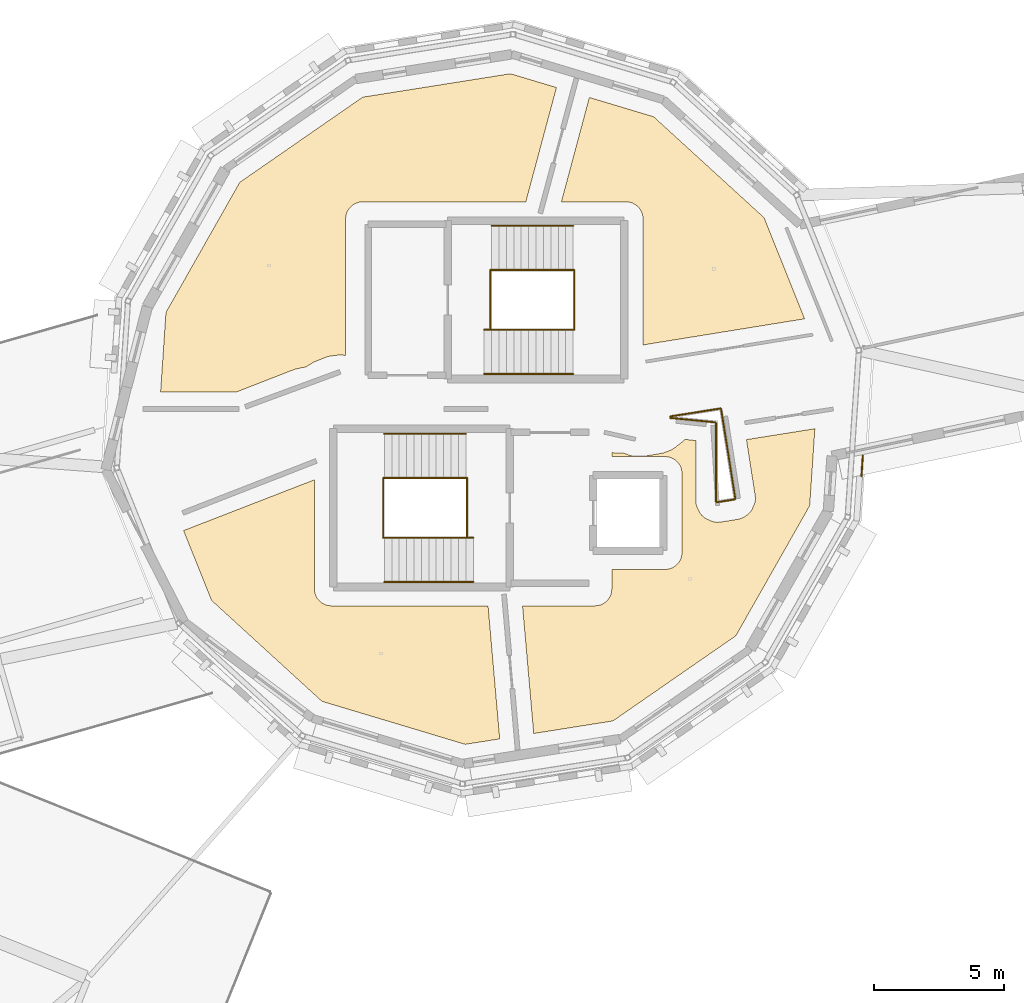
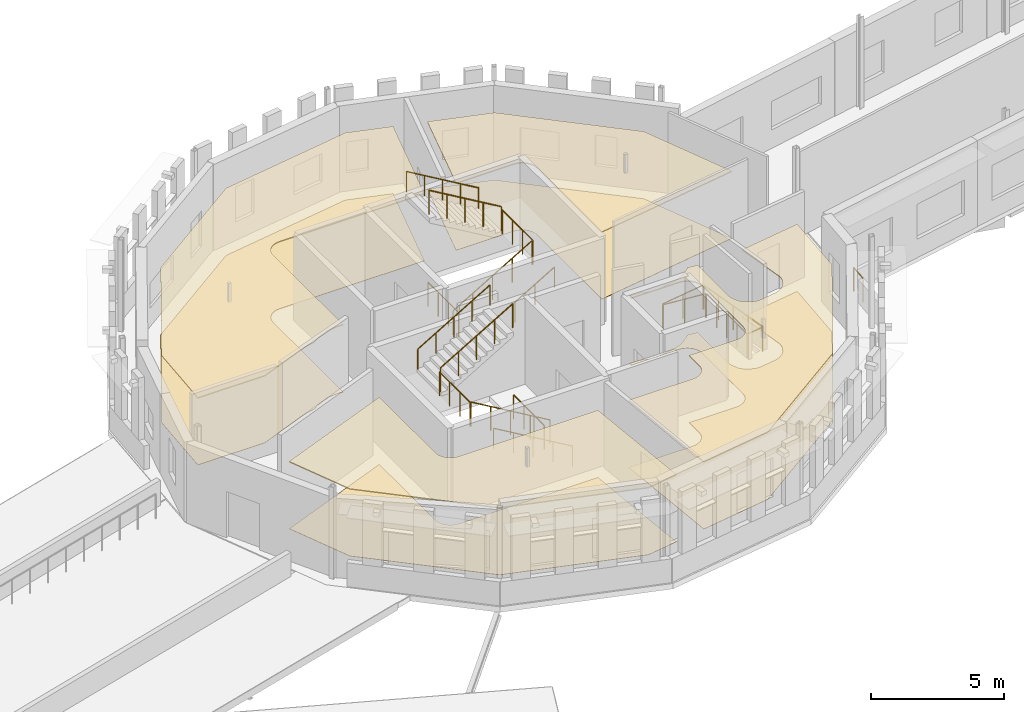
# One storey, part 87 of 90: 18 railings, 8 coverings.
"""IFC4 building model written with IfcOpenShell, lengths in metres."""

from ifc_helpers import new_model, si_unit, direction, frame, origin, origin_2d, place, context, subcontext, project, spatial, polyline, circle, outline, extrude, material, layer, layer_set, type_object, element, save


model = new_model("IFC4")

# Units and contexts
model_context = context("Model", 3, precision=1e-05, world=origin(), true_north=direction((0.0, 1.0)))
body_context = subcontext(model_context, "Body", "Model", "MODEL_VIEW")
ifc_project = project(units=[si_unit("LENGTHUNIT", "METRE"), si_unit("AREAUNIT", "SQUARE_METRE"), si_unit("VOLUMEUNIT", "CUBIC_METRE"), si_unit("PLANEANGLEUNIT", "RADIAN"), si_unit("MASSUNIT", "GRAM", prefix="KILO")], contexts=[model_context])

# Site, building, storey
site_placement = place(None, origin())
site = spatial("IfcSite", under=ifc_project, at=site_placement, CompositionType="ELEMENT")
building_placement = place(site_placement, origin())
building = spatial("IfcBuilding", under=site, at=building_placement, Name="Wrenclough Park School", CompositionType="ELEMENT")
storey_placement = place(building_placement, frame((0.0, 0.0, 8.39990234375)))
storey = spatial("IfcBuildingStorey", under=building, at=storey_placement, Name="L02", CompositionType="ELEMENT", Elevation=8.39990234375)

# Coverings
ifc_material_1 = material(Name="Class A mineral-fibre acoustic ceiling raft", Category="gypsum")
ifc_layer_1 = layer(ifc_material_1, 0.044921875)
ifc_layer_set_1 = layer_set([ifc_layer_1], Name="Class A mineral-fibre acoustic ceiling raft")
covering_type_1 = type_object("IfcCoveringType", Name="INT-COV-CEIL", PredefinedType="CEILING", material=ifc_layer_set_1)
covering_1_placement = place(storey_placement, frame((0.0, 0.0, 3.05517578125)))
element("IfcCovering", 1, at=covering_1_placement, inside=storey, type_object=covering_type_1, Name="Middle Chemistry Science Laboratory acoustic ceiling raft", PredefinedType="CEILING", context=body_context, shape_type="SweptSolid", body=[
    extrude(outline(polyline([(75.999755859375, 110.115234375), (76.30029296875, 110.30517578125), (76.78857421875, 110.49853515625), (76.863525390625, 110.522705078125), (76.94091796875, 110.53759765625), (77.29052734375, 110.580322265625), (77.402099609375, 110.575439453125), (77.530029296875, 110.558837890625), (77.530029296875, 115.820068359375), (77.54248046875, 115.94677734375), (77.55810546875, 116.0087890625), (77.606689453125, 116.12646484375), (77.677490234375, 116.232421875), (77.767578125, 116.322509765625), (77.81884765625, 116.360595703125), (77.931396484375, 116.42041015625), (78.05322265625, 116.45751953125), (78.179931640625, 116.469970703125), (84.462646484375, 116.469970703125), (85.640869140625, 120.866943359375), (83.86962890625, 121.398681640625), (78.18701171875, 120.498779296875), (73.45751953125, 117.222412109375), (70.617919921875, 112.21826171875), (70.4111328125, 109.14990234375), (73.31396484375, 109.14990234375), (75.52294921875, 110.010009765625), (75.614990234375, 110.038330078125), (75.88720703125, 110.099853515625), (75.999755859375, 110.115234375)])), origin(), (0.0, 0.0, 1.0), 0.044921875),
])
covering_2_placement = place(storey_placement, frame((0.0, 0.0, 3.05517578125)))
element("IfcCovering", 2, at=covering_2_placement, inside=storey, type_object=covering_type_1, Name="Biology Science Laboratory acoustic ceiling raft", PredefinedType="CEILING", context=body_context, shape_type="SweptSolid", body=[
    extrude(outline(polyline([(71.295166015625, 103.82470703125), (72.373046875, 101.1376953125), (76.619873046875, 97.255859375), (82.13037109375, 95.601318359375), (83.45751953125, 95.811279296875), (83.009765625, 100.929931640625), (76.97998046875, 100.929931640625), (76.853271484375, 100.9423828125), (76.791259765625, 100.9580078125), (76.731201171875, 100.9794921875), (76.618896484375, 101.03955078125), (76.5205078125, 101.120361328125), (76.439453125, 101.218994140625), (76.37939453125, 101.331298828125), (76.35791015625, 101.391357421875), (76.3330078125, 101.516357421875), (76.330078125, 105.779296875), (71.295166015625, 103.82470703125)])), origin(), (0.0, 0.0, 1.0), 0.044921875),
])
covering_3_placement = place(storey_placement, frame((0.0, 0.0, 3.05517578125)))
element("IfcCovering", 3, at=covering_3_placement, inside=storey, type_object=covering_type_1, Name="History Classroom 1 acoustic ceiling raft", PredefinedType="CEILING", context=body_context, shape_type="SweptSolid", body=[
    extrude(outline(polyline([(87.77001953125, 106.821533203125), (87.77001953125, 106.669921875), (89.820068359375, 106.669921875), (89.94677734375, 106.657470703125), (90.068603515625, 106.62060546875), (90.18115234375, 106.560546875), (90.279541015625, 106.4794921875), (90.360595703125, 106.381103515625), (90.42041015625, 106.268798828125), (90.44189453125, 106.208740234375), (90.45751953125, 106.146728515625), (90.469970703125, 106.02001953125), (90.469970703125, 102.97998046875), (90.45751953125, 102.853271484375), (90.44189453125, 102.791259765625), (90.42041015625, 102.731201171875), (90.360595703125, 102.618896484375), (90.322509765625, 102.567626953125), (90.232421875, 102.4775390625), (90.18115234375, 102.439453125), (90.068603515625, 102.37939453125), (89.94677734375, 102.342529296875), (89.820068359375, 102.330078125), (87.77001953125, 102.330078125), (87.77001953125, 101.580078125), (87.757568359375, 101.453125), (87.741943359375, 101.391357421875), (87.720458984375, 101.331298828125), (87.660400390625, 101.218994140625), (87.57958984375, 101.120361328125), (87.481201171875, 101.03955078125), (87.36865234375, 100.9794921875), (87.30859375, 100.9580078125), (87.246826171875, 100.9423828125), (87.1201171875, 100.929931640625), (84.3349609375, 100.929931640625), (84.7646484375, 96.018310546875), (87.81298828125, 96.501220703125), (92.54248046875, 99.777587890625), (95.382080078125, 104.78173828125), (95.58154296875, 107.743408203125), (92.948486328125, 107.32470703125), (93.285400390625, 105.159423828125), (93.2919921875, 105.09619140625), (93.286865234375, 104.9697265625), (93.257080078125, 104.846435546875), (93.157958984375, 104.6298828125), (93.0908203125, 104.5341796875), (93.00732421875, 104.451904296875), (92.81884765625, 104.3251953125), (92.68603515625, 104.2724609375), (92.6162109375, 104.25732421875), (91.94482421875, 104.15087890625), (91.8203125, 104.143310546875), (91.75830078125, 104.1484375), (91.63671875, 104.176513671875), (91.44140625, 104.260009765625), (91.325927734375, 104.32666015625), (91.226318359375, 104.415283203125), (91.14697265625, 104.5224609375), (91.03466796875, 104.7666015625), (91.01611328125, 104.833984375), (91.0009765625, 104.973388671875), (91.000244140625, 107.28759765625), (90.57861328125, 107.3349609375), (90.5107421875, 107.26171875), (90.464599609375, 107.222900390625), (90.1533203125, 106.987060546875), (90.04345703125, 106.919677734375), (89.742919921875, 106.80908203125), (89.084228515625, 106.6953125), (88.98291015625, 106.686279296875), (88.615966796875, 106.6865234375), (88.5439453125, 106.697998046875), (88.4736328125, 106.717529296875), (88.21826171875, 106.803955078125), (87.77001953125, 106.821533203125)])), origin(), (0.0, 0.0, 1.0), 0.044921875),
])
covering_4_placement = place(storey_placement, frame((0.0, 0.0, 3.05517578125)))
element("IfcCovering", 4, at=covering_4_placement, inside=storey, type_object=covering_type_1, Name="History Classroom 2 acoustic ceiling raft", PredefinedType="CEILING", context=body_context, shape_type="SweptSolid", body=[
    extrude(outline(polyline([(88.969970703125, 115.820068359375), (88.969970703125, 110.965576171875), (95.188232421875, 111.97021484375), (93.626953125, 115.8623046875), (89.380126953125, 119.744140625), (86.905517578125, 120.4873046875), (85.8291015625, 116.469970703125), (88.320068359375, 116.469970703125), (88.44677734375, 116.45751953125), (88.568603515625, 116.42041015625), (88.68115234375, 116.360595703125), (88.732421875, 116.322509765625), (88.822509765625, 116.232421875), (88.893310546875, 116.12646484375), (88.94189453125, 116.0087890625), (88.95751953125, 115.94677734375), (88.969970703125, 115.820068359375)])), origin(), (0.0, 0.0, 1.0), 0.044921875),
])
ifc_material_2 = material(Name="Acoustic natural linoleum school flooring", Category="wood")
ifc_layer_2 = layer(ifc_material_2, 0.014892578125)
ifc_layer_set_2 = layer_set([ifc_layer_2], Name="Acoustic natural linoleum school flooring")
covering_type_2 = type_object("IfcCoveringType", Name="INT-COV-FLOOR1", PredefinedType="FLOORING", material=ifc_layer_set_2)
covering_5_placement = place(storey_placement, origin())
element("IfcCovering", 5, at=covering_5_placement, inside=storey, type_object=covering_type_2, Name="Middle Chemistry Science Laboratory floor finish", PredefinedType="FLOORING", context=body_context, shape_type="SweptSolid", body=[
    extrude(outline(polyline([(75.999755859375, 110.115234375), (76.30029296875, 110.30517578125), (76.78857421875, 110.49853515625), (76.863525390625, 110.522705078125), (76.94091796875, 110.53759765625), (77.29052734375, 110.580322265625), (77.402099609375, 110.575439453125), (77.530029296875, 110.558837890625), (77.530029296875, 115.820068359375), (77.54248046875, 115.94677734375), (77.55810546875, 116.0087890625), (77.606689453125, 116.12646484375), (77.677490234375, 116.232421875), (77.767578125, 116.322509765625), (77.81884765625, 116.360595703125), (77.931396484375, 116.42041015625), (78.05322265625, 116.45751953125), (78.179931640625, 116.469970703125), (84.462646484375, 116.469970703125), (85.640869140625, 120.866943359375), (83.86962890625, 121.398681640625), (78.18701171875, 120.498779296875), (73.45751953125, 117.222412109375), (70.617919921875, 112.21826171875), (70.4111328125, 109.14990234375), (73.31396484375, 109.14990234375), (75.52294921875, 110.010009765625), (75.614990234375, 110.038330078125), (75.88720703125, 110.099853515625), (75.999755859375, 110.115234375)])), origin(), (0.0, 0.0, 1.0), 0.01513671875),
])
covering_6_placement = place(storey_placement, origin())
element("IfcCovering", 6, at=covering_6_placement, inside=storey, type_object=covering_type_2, Name="Biology Science Laboratory floor finish", PredefinedType="FLOORING", context=body_context, shape_type="SweptSolid", body=[
    extrude(outline(polyline([(71.295166015625, 103.82470703125), (72.373046875, 101.1376953125), (76.619873046875, 97.255859375), (82.13037109375, 95.601318359375), (83.45751953125, 95.811279296875), (83.009765625, 100.929931640625), (76.97998046875, 100.929931640625), (76.853271484375, 100.9423828125), (76.791259765625, 100.9580078125), (76.731201171875, 100.9794921875), (76.618896484375, 101.03955078125), (76.5205078125, 101.120361328125), (76.439453125, 101.218994140625), (76.37939453125, 101.331298828125), (76.35791015625, 101.391357421875), (76.3330078125, 101.516357421875), (76.330078125, 105.779296875), (71.295166015625, 103.82470703125)])), origin(), (0.0, 0.0, 1.0), 0.01513671875),
])
covering_7_placement = place(storey_placement, origin())
element("IfcCovering", 7, at=covering_7_placement, inside=storey, type_object=covering_type_2, Name="History Classroom 1 floor finish", PredefinedType="FLOORING", context=body_context, shape_type="SweptSolid", body=[
    extrude(outline(polyline([(87.77001953125, 106.821533203125), (87.77001953125, 106.669921875), (89.820068359375, 106.669921875), (89.94677734375, 106.657470703125), (90.068603515625, 106.62060546875), (90.18115234375, 106.560546875), (90.279541015625, 106.4794921875), (90.360595703125, 106.381103515625), (90.42041015625, 106.268798828125), (90.44189453125, 106.208740234375), (90.45751953125, 106.146728515625), (90.469970703125, 106.02001953125), (90.469970703125, 102.97998046875), (90.45751953125, 102.853271484375), (90.44189453125, 102.791259765625), (90.42041015625, 102.731201171875), (90.360595703125, 102.618896484375), (90.322509765625, 102.567626953125), (90.232421875, 102.4775390625), (90.18115234375, 102.439453125), (90.068603515625, 102.37939453125), (89.94677734375, 102.342529296875), (89.820068359375, 102.330078125), (87.77001953125, 102.330078125), (87.77001953125, 101.580078125), (87.757568359375, 101.453125), (87.741943359375, 101.391357421875), (87.720458984375, 101.331298828125), (87.660400390625, 101.218994140625), (87.57958984375, 101.120361328125), (87.481201171875, 101.03955078125), (87.36865234375, 100.9794921875), (87.30859375, 100.9580078125), (87.246826171875, 100.9423828125), (87.1201171875, 100.929931640625), (84.3349609375, 100.929931640625), (84.7646484375, 96.018310546875), (87.81298828125, 96.501220703125), (92.54248046875, 99.777587890625), (95.382080078125, 104.78173828125), (95.58154296875, 107.743408203125), (92.948486328125, 107.32470703125), (93.285400390625, 105.159423828125), (93.2919921875, 105.09619140625), (93.286865234375, 104.9697265625), (93.257080078125, 104.846435546875), (93.157958984375, 104.6298828125), (93.0908203125, 104.5341796875), (93.00732421875, 104.451904296875), (92.81884765625, 104.3251953125), (92.68603515625, 104.2724609375), (92.6162109375, 104.25732421875), (91.94482421875, 104.15087890625), (91.8203125, 104.143310546875), (91.75830078125, 104.1484375), (91.63671875, 104.176513671875), (91.44140625, 104.260009765625), (91.325927734375, 104.32666015625), (91.226318359375, 104.415283203125), (91.14697265625, 104.5224609375), (91.03466796875, 104.7666015625), (91.01611328125, 104.833984375), (91.0009765625, 104.973388671875), (91.000244140625, 107.28759765625), (90.57861328125, 107.3349609375), (90.5107421875, 107.26171875), (90.464599609375, 107.222900390625), (90.1533203125, 106.987060546875), (90.04345703125, 106.919677734375), (89.742919921875, 106.80908203125), (89.084228515625, 106.6953125), (88.98291015625, 106.686279296875), (88.615966796875, 106.6865234375), (88.5439453125, 106.697998046875), (88.4736328125, 106.717529296875), (88.21826171875, 106.803955078125), (87.77001953125, 106.821533203125)])), origin(), (0.0, 0.0, 1.0), 0.01513671875),
])
covering_8_placement = place(storey_placement, origin())
element("IfcCovering", 8, at=covering_8_placement, inside=storey, type_object=covering_type_2, Name="History Classroom 2 floor finish", PredefinedType="FLOORING", context=body_context, shape_type="SweptSolid", body=[
    extrude(outline(polyline([(88.969970703125, 115.820068359375), (88.969970703125, 110.965576171875), (95.188232421875, 111.97021484375), (93.626953125, 115.8623046875), (89.380126953125, 119.744140625), (86.905517578125, 120.4873046875), (85.8291015625, 116.469970703125), (88.320068359375, 116.469970703125), (88.44677734375, 116.45751953125), (88.568603515625, 116.42041015625), (88.68115234375, 116.360595703125), (88.732421875, 116.322509765625), (88.822509765625, 116.232421875), (88.893310546875, 116.12646484375), (88.94189453125, 116.0087890625), (88.95751953125, 115.94677734375), (88.969970703125, 115.820068359375)])), origin(), (0.0, 0.0, 1.0), 0.01513671875),
])

# Railings
ifc_material_3 = material(Name="Powder-coated steel vertical-baluster stair and atrium guard", Category="steel")
railing_type_1 = type_object("IfcRailingType", Name="INT-RL-GD1120", PredefinedType="GUARDRAIL", material=ifc_material_3)
railing_1_placement = place(storey_placement, frame((82.195068359375, 103.550048828125, 0.0)))
element("IfcRailing", 9, at=railing_1_placement, inside=storey, type_object=railing_type_1, Name="ST-04 L02 well guard 1", PredefinedType="GUARDRAIL", context=body_context, shape_type="SweptSolid", body=[
    extrude(circle(Radius=0.02392578125, at=origin_2d()), frame((0.0, 0.0, 1.09619140625), z_axis=(0.0, 1.0, 0.0), x_axis=(-1.0, 0.0, 0.0)), (0.0, 0.0, 1.0), 2.300048828125),
    extrude(circle(Radius=0.02099609375, at=origin_2d()), origin(), (0.0, 0.0, 1.0), 1.072021484375),
    extrude(circle(Radius=0.02099609375, at=origin_2d()), frame((0.0, 0.7666015625, 0.0)), (0.0, 0.0, 1.0), 1.072021484375),
    extrude(circle(Radius=0.02099609375, at=origin_2d()), frame((0.0, 1.533447265625, 0.0)), (0.0, 0.0, 1.0), 1.072021484375),
    extrude(circle(Radius=0.02099609375, at=origin_2d()), frame((0.0, 2.300048828125, 0.0)), (0.0, 0.0, 1.0), 1.072021484375),
])
railing_2_placement = place(storey_placement, frame((82.43994140625, 103.550048828125, 0.168212890625)))
element("IfcRailing", 10, at=railing_2_placement, inside=storey, type_object=railing_type_1, Name="ST-04 L02 well guard 2", PredefinedType="GUARDRAIL", context=body_context, shape_type="SweptSolid", body=[
    extrude(circle(Radius=0.02392578125, at=origin_2d()), frame((0.0, 0.0, 1.09619140625), z_axis=(-0.861476970849, 0.0, 0.507796641084), x_axis=(0.0, -1.0, 0.0)), (0.0, 0.0, 1.0), 3.9697265625),
    extrude(circle(Radius=0.02099609375, at=origin_2d()), origin(), (0.0, 0.0, 1.0), 1.072021484375),
    extrude(circle(Radius=0.02099609375, at=origin_2d()), frame((-0.85498046875, 0.0, 0.50390625)), (0.0, 0.0, 1.0), 1.072021484375),
    extrude(circle(Radius=0.02099609375, at=origin_2d()), frame((-1.7099609375, 0.0, 1.0078125)), (0.0, 0.0, 1.0), 1.072021484375),
    extrude(circle(Radius=0.02099609375, at=origin_2d()), frame((-2.56494140625, 0.0, 1.511962890625)), (0.0, 0.0, 1.0), 1.072021484375),
    extrude(circle(Radius=0.02099609375, at=origin_2d()), frame((-3.419921875, 0.0, 2.015869140625)), (0.0, 0.0, 1.0), 1.072021484375),
])
railing_3_placement = place(storey_placement, frame((78.97998046875, 103.550048828125, 2.18408203125)))
element("IfcRailing", 11, at=railing_3_placement, inside=storey, type_object=railing_type_1, Name="ST-04 L02 well guard 3", PredefinedType="GUARDRAIL", context=body_context, shape_type="SweptSolid", body=[
    extrude(circle(Radius=0.02392578125, at=origin_2d()), frame((0.0, 0.0, 1.09619140625), z_axis=(0.0, 1.0, 0.0), x_axis=(-1.0, 0.0, 0.0)), (0.0, 0.0, 1.0), 2.300048828125),
    extrude(circle(Radius=0.02099609375, at=origin_2d()), origin(), (0.0, 0.0, 1.0), 1.072021484375),
    extrude(circle(Radius=0.02099609375, at=origin_2d()), frame((0.0, 0.7666015625, 0.0)), (0.0, 0.0, 1.0), 1.072021484375),
    extrude(circle(Radius=0.02099609375, at=origin_2d()), frame((0.0, 1.533447265625, 0.0)), (0.0, 0.0, 1.0), 1.072021484375),
    extrude(circle(Radius=0.02099609375, at=origin_2d()), frame((0.0, 2.300048828125, 0.0)), (0.0, 0.0, 1.0), 1.072021484375),
])
railing_4_placement = place(storey_placement, frame((79.02001953125, 105.85009765625, 2.35205078125)))
element("IfcRailing", 12, at=railing_4_placement, inside=storey, type_object=railing_type_1, Name="ST-04 L02 well guard 4", PredefinedType="GUARDRAIL", context=body_context, shape_type="SweptSolid", body=[
    extrude(circle(Radius=0.02392578125, at=origin_2d()), frame((0.0, 0.0, 1.09619140625), z_axis=(0.861450943231, 0.0, 0.507840794351), x_axis=(0.0, 1.0, 0.0)), (0.0, 0.0, 1.0), 3.63916015625),
    extrude(circle(Radius=0.02099609375, at=origin_2d()), origin(), (0.0, 0.0, 1.0), 1.072021484375),
    extrude(circle(Radius=0.02099609375, at=origin_2d()), frame((0.78369140625, 0.0, 0.4619140625)), (0.0, 0.0, 1.0), 1.072021484375),
    extrude(circle(Radius=0.02099609375, at=origin_2d()), frame((1.5673828125, 0.0, 0.924072265625)), (0.0, 0.0, 1.0), 1.072021484375),
    extrude(circle(Radius=0.02099609375, at=origin_2d()), frame((2.351318359375, 0.0, 1.38623046875)), (0.0, 0.0, 1.0), 1.072021484375),
    extrude(circle(Radius=0.02099609375, at=origin_2d()), frame((3.135009765625, 0.0, 1.84814453125)), (0.0, 0.0, 1.0), 1.072021484375),
])
railing_5_placement = place(storey_placement, frame((83.10498046875, 111.550048828125, 0.0)))
element("IfcRailing", 13, at=railing_5_placement, inside=storey, type_object=railing_type_1, Name="ST-08 L02 well guard 1", PredefinedType="GUARDRAIL", context=body_context, shape_type="SweptSolid", body=[
    extrude(circle(Radius=0.02392578125, at=origin_2d()), frame((0.0, 0.0, 1.09619140625), z_axis=(0.0, 1.0, 0.0), x_axis=(-1.0, 0.0, 0.0)), (0.0, 0.0, 1.0), 2.300048828125),
    extrude(circle(Radius=0.02099609375, at=origin_2d()), origin(), (0.0, 0.0, 1.0), 1.072021484375),
    extrude(circle(Radius=0.02099609375, at=origin_2d()), frame((0.0, 0.7666015625, 0.0)), (0.0, 0.0, 1.0), 1.072021484375),
    extrude(circle(Radius=0.02099609375, at=origin_2d()), frame((0.0, 1.533447265625, 0.0)), (0.0, 0.0, 1.0), 1.072021484375),
    extrude(circle(Radius=0.02099609375, at=origin_2d()), frame((0.0, 2.300048828125, 0.0)), (0.0, 0.0, 1.0), 1.072021484375),
])
railing_6_placement = place(storey_placement, frame((82.860107421875, 111.550048828125, 0.168212890625)))
element("IfcRailing", 14, at=railing_6_placement, inside=storey, type_object=railing_type_1, Name="ST-08 L02 well guard 2", PredefinedType="GUARDRAIL", context=body_context, shape_type="SweptSolid", body=[
    extrude(circle(Radius=0.02392578125, at=origin_2d()), frame((0.0, 0.0, 1.09619140625), z_axis=(0.861476970849, 0.0, 0.507796641084), x_axis=(0.0, 1.0, 0.0)), (0.0, 0.0, 1.0), 3.9697265625),
    extrude(circle(Radius=0.02099609375, at=origin_2d()), origin(), (0.0, 0.0, 1.0), 1.072021484375),
    extrude(circle(Radius=0.02099609375, at=origin_2d()), frame((0.85498046875, 0.0, 0.50390625)), (0.0, 0.0, 1.0), 1.072021484375),
    extrude(circle(Radius=0.02099609375, at=origin_2d()), frame((1.7099609375, 0.0, 1.0078125)), (0.0, 0.0, 1.0), 1.072021484375),
    extrude(circle(Radius=0.02099609375, at=origin_2d()), frame((2.56494140625, 0.0, 1.511962890625)), (0.0, 0.0, 1.0), 1.072021484375),
    extrude(circle(Radius=0.02099609375, at=origin_2d()), frame((3.419921875, 0.0, 2.015869140625)), (0.0, 0.0, 1.0), 1.072021484375),
])
railing_7_placement = place(storey_placement, frame((86.320068359375, 111.550048828125, 2.18408203125)))
element("IfcRailing", 15, at=railing_7_placement, inside=storey, type_object=railing_type_1, Name="ST-08 L02 well guard 3", PredefinedType="GUARDRAIL", context=body_context, shape_type="SweptSolid", body=[
    extrude(circle(Radius=0.02392578125, at=origin_2d()), frame((0.0, 0.0, 1.09619140625), z_axis=(0.0, 1.0, 0.0), x_axis=(-1.0, 0.0, 0.0)), (0.0, 0.0, 1.0), 2.300048828125),
    extrude(circle(Radius=0.02099609375, at=origin_2d()), origin(), (0.0, 0.0, 1.0), 1.072021484375),
    extrude(circle(Radius=0.02099609375, at=origin_2d()), frame((0.0, 0.7666015625, 0.0)), (0.0, 0.0, 1.0), 1.072021484375),
    extrude(circle(Radius=0.02099609375, at=origin_2d()), frame((0.0, 1.533447265625, 0.0)), (0.0, 0.0, 1.0), 1.072021484375),
    extrude(circle(Radius=0.02099609375, at=origin_2d()), frame((0.0, 2.300048828125, 0.0)), (0.0, 0.0, 1.0), 1.072021484375),
])
railing_8_placement = place(storey_placement, frame((86.280029296875, 113.85009765625, 2.35205078125)))
element("IfcRailing", 16, at=railing_8_placement, inside=storey, type_object=railing_type_1, Name="ST-08 L02 well guard 4", PredefinedType="GUARDRAIL", context=body_context, shape_type="SweptSolid", body=[
    extrude(circle(Radius=0.02392578125, at=origin_2d()), frame((0.0, 0.0, 1.09619140625), z_axis=(-0.861450943231, 0.0, 0.507840794351), x_axis=(0.0, -1.0, 0.0)), (0.0, 0.0, 1.0), 3.63916015625),
    extrude(circle(Radius=0.02099609375, at=origin_2d()), origin(), (0.0, 0.0, 1.0), 1.072021484375),
    extrude(circle(Radius=0.02099609375, at=origin_2d()), frame((-0.78369140625, 0.0, 0.4619140625)), (0.0, 0.0, 1.0), 1.072021484375),
    extrude(circle(Radius=0.02099609375, at=origin_2d()), frame((-1.5673828125, 0.0, 0.924072265625)), (0.0, 0.0, 1.0), 1.072021484375),
    extrude(circle(Radius=0.02099609375, at=origin_2d()), frame((-2.351318359375, 0.0, 1.38623046875)), (0.0, 0.0, 1.0), 1.072021484375),
    extrude(circle(Radius=0.02099609375, at=origin_2d()), frame((-3.135009765625, 0.0, 1.84814453125)), (0.0, 0.0, 1.0), 1.072021484375),
])
railing_9_placement = place(storey_placement, frame((91.946533203125, 108.521240234375, 0.0)))
element("IfcRailing", 17, at=railing_9_placement, inside=storey, type_object=railing_type_1, Name="D4 L02 void perimeter guard 1.1", PredefinedType="GUARDRAIL", context=body_context, shape_type="SweptSolid", body=[
    extrude(circle(Radius=0.02392578125, at=origin_2d()), frame((0.0, 0.0, 1.09619140625), z_axis=(-0.98767126193, -0.156542257415, 0.0), x_axis=(0.156542257415, -0.98767126193, 0.0)), (0.0, 0.0, 1.0), 1.9462890625),
    extrude(circle(Radius=0.02099609375, at=origin_2d()), origin(), (0.0, 0.0, 1.0), 1.072021484375),
    extrude(circle(Radius=0.02099609375, at=origin_2d()), frame((-0.961181640625, -0.15234375, 0.0)), (0.0, 0.0, 1.0), 1.072021484375),
    extrude(circle(Radius=0.02099609375, at=origin_2d()), frame((-1.92236328125, -0.3046875, 0.0)), (0.0, 0.0, 1.0), 1.072021484375),
])
railing_10_placement = place(storey_placement, frame((90.02587890625, 108.158935546875, 0.0)))
element("IfcRailing", 18, at=railing_10_placement, inside=storey, type_object=railing_type_1, Name="D4 L02 void perimeter guard 1.3", PredefinedType="GUARDRAIL", context=body_context, shape_type="SweptSolid", body=[
    extrude(circle(Radius=0.02392578125, at=origin_2d()), frame((0.0, 0.0, 1.09619140625), z_axis=(0.9952068307, -0.097792454351, 0.0), x_axis=(0.097792454351, 0.9952068307, 0.0)), (0.0, 0.0, 1.0), 1.737548828125),
    extrude(circle(Radius=0.02099609375, at=origin_2d()), origin(), (0.0, 0.0, 1.0), 1.072021484375),
    extrude(circle(Radius=0.02099609375, at=origin_2d()), frame((0.86474609375, -0.0849609375, 0.0)), (0.0, 0.0, 1.0), 1.072021484375),
    extrude(circle(Radius=0.02099609375, at=origin_2d()), frame((1.729248046875, -0.169921875, 0.0)), (0.0, 0.0, 1.0), 1.072021484375),
])
railing_11_placement = place(storey_placement, frame((91.780029296875, 107.96142578125, 0.0)))
element("IfcRailing", 19, at=railing_11_placement, inside=storey, type_object=railing_type_1, Name="D4 L02 void perimeter guard 1.4", PredefinedType="GUARDRAIL", context=body_context, shape_type="SweptSolid", body=[
    extrude(circle(Radius=0.02392578125, at=origin_2d()), frame((0.0, 0.0, 1.09619140625), z_axis=(0.0, -1.0, 0.0), x_axis=(1.0, 0.0, 0.0)), (0.0, 0.0, 1.0), 3.025634765625),
    extrude(circle(Radius=0.02099609375, at=origin_2d()), origin(), (0.0, 0.0, 1.0), 1.072021484375),
    extrude(circle(Radius=0.02099609375, at=origin_2d()), frame((0.0, -0.75634765625, 0.0)), (0.0, 0.0, 1.0), 1.072021484375),
    extrude(circle(Radius=0.02099609375, at=origin_2d()), frame((0.0, -1.5126953125, 0.0)), (0.0, 0.0, 1.0), 1.072021484375),
    extrude(circle(Radius=0.02099609375, at=origin_2d()), frame((0.0, -2.269287109375, 0.0)), (0.0, 0.0, 1.0), 1.072021484375),
    extrude(circle(Radius=0.02099609375, at=origin_2d()), frame((0.0, -3.025634765625, 0.0)), (0.0, 0.0, 1.0), 1.072021484375),
])
railing_12_placement = place(storey_placement, frame((91.8046875, 104.914794921875, 0.0)))
element("IfcRailing", 20, at=railing_12_placement, inside=storey, type_object=railing_type_1, Name="D4 L02 void perimeter guard 1.5", PredefinedType="GUARDRAIL", context=body_context, shape_type="SweptSolid", body=[
    extrude(circle(Radius=0.02392578125, at=origin_2d()), frame((0.0, 0.0, 1.09619140625), z_axis=(0.98770951775, 0.156300699125, 0.0), x_axis=(-0.156300699125, 0.98770951775, 0.0)), (0.0, 0.0, 1.0), 0.704345703125),
    extrude(circle(Radius=0.02099609375, at=origin_2d()), origin(), (0.0, 0.0, 1.0), 1.072021484375),
    extrude(circle(Radius=0.02099609375, at=origin_2d()), frame((0.69580078125, 0.110107421875, 0.0)), (0.0, 0.0, 1.0), 1.072021484375),
])
railing_13_placement = place(storey_placement, frame((92.521240234375, 105.053466796875, 0.0)))
element("IfcRailing", 21, at=railing_13_placement, inside=storey, type_object=railing_type_1, Name="D4 L02 void perimeter guard 1.6", PredefinedType="GUARDRAIL", context=body_context, shape_type="SweptSolid", body=[
    extrude(circle(Radius=0.02392578125, at=origin_2d()), frame((0.0, 0.0, 1.09619140625), z_axis=(-0.156487017153, 0.987680015725, 0.0), x_axis=(-0.987680015725, -0.156487017153, 0.0)), (0.0, 0.0, 1.0), 3.489990234375),
    extrude(circle(Radius=0.02099609375, at=origin_2d()), origin(), (0.0, 0.0, 1.0), 1.072021484375),
    extrude(circle(Radius=0.02099609375, at=origin_2d()), frame((-0.136474609375, 0.86181640625, 0.0)), (0.0, 0.0, 1.0), 1.072021484375),
    extrude(circle(Radius=0.02099609375, at=origin_2d()), frame((-0.27294921875, 1.7236328125, 0.0)), (0.0, 0.0, 1.0), 1.072021484375),
    extrude(circle(Radius=0.02099609375, at=origin_2d()), frame((-0.40966796875, 2.585205078125, 0.0)), (0.0, 0.0, 1.0), 1.072021484375),
    extrude(circle(Radius=0.02099609375, at=origin_2d()), frame((-0.546142578125, 3.447021484375, 0.0)), (0.0, 0.0, 1.0), 1.072021484375),
])
railing_14_placement = place(storey_placement, frame((97.42529296875, 106.697021484375, 0.0)))
element("IfcRailing", 22, at=railing_14_placement, inside=storey, type_object=railing_type_1, Name="L02 perimeter slab-edge guard D4-SE.1", PredefinedType="GUARDRAIL", context=body_context, shape_type="SweptSolid", body=[
    extrude(circle(Radius=0.02392578125, at=origin_2d()), frame((0.0, 0.0, 1.09619140625), z_axis=(-0.067164758162, -0.997741898118, 0.0), x_axis=(0.997741898118, -0.067164758162, 0.0)), (0.0, 0.0, 1.0), 0.77783203125),
    extrude(circle(Radius=0.02099609375, at=origin_2d()), origin(), (0.0, 0.0, 1.0), 1.072021484375),
    extrude(circle(Radius=0.02099609375, at=origin_2d()), frame((-0.05224609375, -0.776123046875, 0.0)), (0.0, 0.0, 1.0), 1.072021484375),
])
ifc_material_4 = material(Name="Brushed stainless steel tubular handrail", Category="steel")
railing_type_2 = type_object("IfcRailingType", Name="INT-RL-HR950", PredefinedType="HANDRAIL", material=ifc_material_4)
railing_15_placement = place(storey_placement, frame((82.43994140625, 101.85009765625, 0.168212890625)))
element("IfcRailing", 23, at=railing_15_placement, inside=storey, type_object=railing_type_2, Name="ST-04 L02 pitch handrail 1", PredefinedType="HANDRAIL", context=body_context, shape_type="SweptSolid", body=[
    extrude(circle(Radius=0.02392578125, at=origin_2d()), frame((0.0, 0.0, 0.92578125), z_axis=(-0.861476970849, 0.0, 0.507796641084), x_axis=(0.0, -1.0, 0.0)), (0.0, 0.0, 1.0), 3.9697265625),
    extrude(circle(Radius=0.02099609375, at=origin_2d()), origin(), (0.0, 0.0, 1.0), 0.90185546875),
    extrude(circle(Radius=0.02099609375, at=origin_2d()), frame((-0.85498046875, 0.0, 0.50390625)), (0.0, 0.0, 1.0), 0.90185546875),
    extrude(circle(Radius=0.02099609375, at=origin_2d()), frame((-1.7099609375, 0.0, 1.0078125)), (0.0, 0.0, 1.0), 0.90185546875),
    extrude(circle(Radius=0.02099609375, at=origin_2d()), frame((-2.56494140625, 0.0, 1.511962890625)), (0.0, 0.0, 1.0), 0.90185546875),
    extrude(circle(Radius=0.02099609375, at=origin_2d()), frame((-3.419921875, 0.0, 2.015869140625)), (0.0, 0.0, 1.0), 0.90185546875),
])
railing_16_placement = place(storey_placement, frame((79.02001953125, 107.550048828125, 2.35205078125)))
element("IfcRailing", 24, at=railing_16_placement, inside=storey, type_object=railing_type_2, Name="ST-04 L02 pitch handrail 2", PredefinedType="HANDRAIL", context=body_context, shape_type="SweptSolid", body=[
    extrude(circle(Radius=0.02392578125, at=origin_2d()), frame((0.0, 0.0, 0.92578125), z_axis=(0.861450943231, 0.0, 0.507840794351), x_axis=(0.0, 1.0, 0.0)), (0.0, 0.0, 1.0), 3.63916015625),
    extrude(circle(Radius=0.02099609375, at=origin_2d()), origin(), (0.0, 0.0, 1.0), 0.90185546875),
    extrude(circle(Radius=0.02099609375, at=origin_2d()), frame((0.78369140625, 0.0, 0.4619140625)), (0.0, 0.0, 1.0), 0.90185546875),
    extrude(circle(Radius=0.02099609375, at=origin_2d()), frame((1.5673828125, 0.0, 0.924072265625)), (0.0, 0.0, 1.0), 0.90185546875),
    extrude(circle(Radius=0.02099609375, at=origin_2d()), frame((2.351318359375, 0.0, 1.38623046875)), (0.0, 0.0, 1.0), 0.90185546875),
    extrude(circle(Radius=0.02099609375, at=origin_2d()), frame((3.135009765625, 0.0, 1.84814453125)), (0.0, 0.0, 1.0), 0.90185546875),
])
railing_17_placement = place(storey_placement, frame((82.860107421875, 109.85009765625, 0.168212890625)))
element("IfcRailing", 25, at=railing_17_placement, inside=storey, type_object=railing_type_2, Name="ST-08 L02 pitch handrail 1", PredefinedType="HANDRAIL", context=body_context, shape_type="SweptSolid", body=[
    extrude(circle(Radius=0.02392578125, at=origin_2d()), frame((0.0, 0.0, 0.92578125), z_axis=(0.861476970849, 0.0, 0.507796641084), x_axis=(0.0, 1.0, 0.0)), (0.0, 0.0, 1.0), 3.9697265625),
    extrude(circle(Radius=0.02099609375, at=origin_2d()), origin(), (0.0, 0.0, 1.0), 0.90185546875),
    extrude(circle(Radius=0.02099609375, at=origin_2d()), frame((0.85498046875, 0.0, 0.50390625)), (0.0, 0.0, 1.0), 0.90185546875),
    extrude(circle(Radius=0.02099609375, at=origin_2d()), frame((1.7099609375, 0.0, 1.0078125)), (0.0, 0.0, 1.0), 0.90185546875),
    extrude(circle(Radius=0.02099609375, at=origin_2d()), frame((2.56494140625, 0.0, 1.511962890625)), (0.0, 0.0, 1.0), 0.90185546875),
    extrude(circle(Radius=0.02099609375, at=origin_2d()), frame((3.419921875, 0.0, 2.015869140625)), (0.0, 0.0, 1.0), 0.90185546875),
])
railing_18_placement = place(storey_placement, frame((86.280029296875, 115.550048828125, 2.35205078125)))
element("IfcRailing", 26, at=railing_18_placement, inside=storey, type_object=railing_type_2, Name="ST-08 L02 pitch handrail 2", PredefinedType="HANDRAIL", context=body_context, shape_type="SweptSolid", body=[
    extrude(circle(Radius=0.02392578125, at=origin_2d()), frame((0.0, 0.0, 0.92578125), z_axis=(-0.861450943231, 0.0, 0.507840794351), x_axis=(0.0, -1.0, 0.0)), (0.0, 0.0, 1.0), 3.63916015625),
    extrude(circle(Radius=0.02099609375, at=origin_2d()), origin(), (0.0, 0.0, 1.0), 0.90185546875),
    extrude(circle(Radius=0.02099609375, at=origin_2d()), frame((-0.78369140625, 0.0, 0.4619140625)), (0.0, 0.0, 1.0), 0.90185546875),
    extrude(circle(Radius=0.02099609375, at=origin_2d()), frame((-1.5673828125, 0.0, 0.924072265625)), (0.0, 0.0, 1.0), 0.90185546875),
    extrude(circle(Radius=0.02099609375, at=origin_2d()), frame((-2.351318359375, 0.0, 1.38623046875)), (0.0, 0.0, 1.0), 0.90185546875),
    extrude(circle(Radius=0.02099609375, at=origin_2d()), frame((-3.135009765625, 0.0, 1.84814453125)), (0.0, 0.0, 1.0), 0.90185546875),
])

save(model, "model.ifc")
